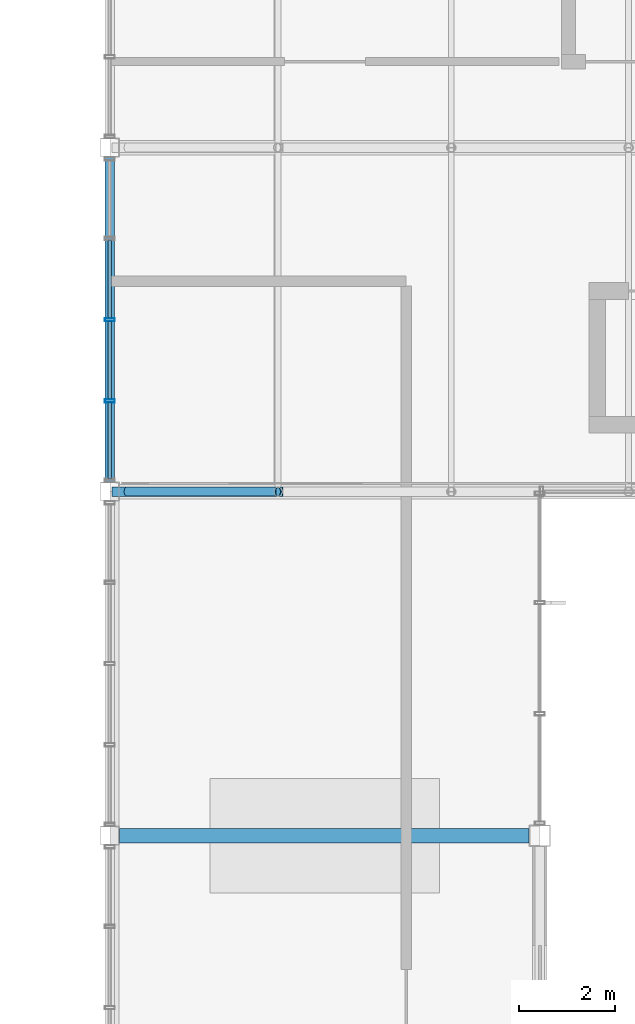
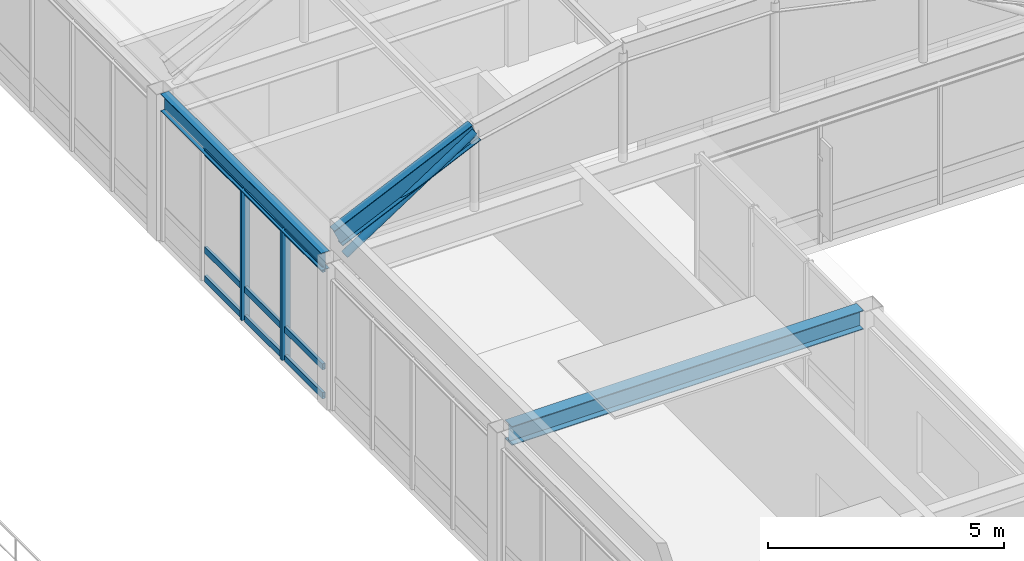
# One storey, part 19 of 106: 13 members, 2 beams, 1 element without a shape of its own.
"""IFC4 building model written with IfcOpenShell, lengths in metres."""

from ifc_helpers import new_model, si_unit, direction, frame, origin, origin_2d, place, context, subcontext, project, spatial, hollow_rectangle, hollow_circle, i_section, extrude, material, material_profile, profile_set, type_object, element, aggregate, save


model = new_model("IFC4")

# Units and contexts
model_context = context("Model", 3, precision=1e-05, world=origin(), true_north=direction((0.0, 1.0)))
body_context = subcontext(model_context, "Body", "Model", "MODEL_VIEW")
ifc_project = project(units=[si_unit("LENGTHUNIT", "METRE"), si_unit("AREAUNIT", "SQUARE_METRE"), si_unit("VOLUMEUNIT", "CUBIC_METRE"), si_unit("PLANEANGLEUNIT", "RADIAN"), si_unit("MASSUNIT", "GRAM", prefix="KILO")], contexts=[model_context])

# Site, building, storey
site_placement = place(None, origin())
site = spatial("IfcSite", under=ifc_project, at=site_placement, CompositionType="ELEMENT")
building_placement = place(site_placement, origin())
building = spatial("IfcBuilding", under=site, at=building_placement, Name="Kazanami Central Library", CompositionType="ELEMENT")
storey_placement = place(building_placement, frame((0.0, 0.0, 12.800048828125)))
storey = spatial("IfcBuildingStorey", under=building, at=storey_placement, Name="L04", CompositionType="ELEMENT", Elevation=12.800048828125)

# Beams
ifc_material_1 = material(Name="Steel SN490B (325 MPa)", Category="steel")
ifc_material_profile_1 = material_profile(ifc_material_1, i_section(OverallWidth=0.300048828125, OverallDepth=0.488037109375, WebThickness=0.010986328125, FlangeThickness=0.01806640625, at=origin_2d()), Name="H-488x300x11x18")
ifc_profile_set_1 = profile_set([ifc_material_profile_1], Name="Steel SN490B (325 MPa)")
beam_type_1 = type_object("IfcBeamType", Name="BM-G-X5", PredefinedType="BEAM", material=ifc_profile_set_1)
beam_1_placement = place(storey_placement, frame((45.197998046875, 57.60009765625, 3.535888671875), z_axis=(1.0, 0.0, 0.0), x_axis=(0.0, 1.0, 0.0)))
element("IfcBeam", 1, at=beam_1_placement, inside=storey, type_object=beam_type_1, Name="Girder G-X5 L04 J/6-7", PredefinedType="BEAM", context=body_context, shape_type="SweptSolid", body=[
    extrude(i_section(OverallWidth=0.300048828125, OverallDepth=0.488037109375, WebThickness=0.010986328125, FlangeThickness=0.01806640625, at=origin_2d()), origin(), (0.0, 0.0, 1.0), 8.5791015625),
])
ifc_material_profile_2 = material_profile(ifc_material_1, i_section(OverallWidth=0.199951171875, OverallDepth=0.449951171875, WebThickness=0.009033203125, FlangeThickness=0.013916015625, at=origin_2d()), Name="H-450x200x9x14")
ifc_profile_set_2 = profile_set([ifc_material_profile_2], Name="Steel SN490B (325 MPa)")
beam_type_2 = type_object("IfcBeamType", Name="BM-SP-2", PredefinedType="SPANDREL", material=ifc_profile_set_2)
beam_2_placement = place(storey_placement, frame((45.0, 64.998046875, 3.554931640625), z_axis=(0.0, 1.0, 0.0), x_axis=(-1.0, 0.0, 0.0)))
element("IfcBeam", 2, at=beam_2_placement, inside=storey, type_object=beam_type_2, Name="Girder SP-2 L04 6/K-L", PredefinedType="SPANDREL", context=body_context, shape_type="SweptSolid", body=[
    extrude(i_section(OverallWidth=0.199951171875, OverallDepth=0.449951171875, WebThickness=0.009033203125, FlangeThickness=0.013916015625, at=origin_2d()), origin(), (0.0, 0.0, 1.0), 6.803955078125),
])

# Member
ifc_material_profile_3 = material_profile(ifc_material_1, i_section(OverallWidth=0.199951171875, OverallDepth=0.5, WebThickness=0.010009765625, FlangeThickness=0.01611328125, at=origin_2d()), Name="H-500x200x10x16")
ifc_profile_set_3 = profile_set([ifc_material_profile_3], Name="Steel SN490B (325 MPa)")
member_type_1 = type_object("IfcMemberType", Name="MEM-AR-02", PredefinedType="CHORD", material=ifc_profile_set_3)
member_1_placement = place(storey_placement, frame((45.14990234375, 64.800048828125, 4.2548828125), z_axis=(0.908074880538, 0.0, 0.41880784536), x_axis=(0.0, 1.0, 0.0)))
element("IfcMember", 3, at=member_1_placement, inside=storey, type_object=member_type_1, Name="Barrel Vault Arch Rib AR-02 VAULT-WEST Grid K Seg 1", PredefinedType="CHORD", context=body_context, shape_type="SweptSolid", body=[
    extrude(i_section(OverallWidth=0.199951171875, OverallDepth=0.5, WebThickness=0.010009765625, FlangeThickness=0.01611328125, at=origin_2d()), origin(), (0.0, 0.0, 1.0), 3.7109375),
])

# Curtain wall, members
ifc_material_2 = material(Name="Acid-Etched Low-E Laminated Glass", Category="glass")
curtain_wall_type = type_object("IfcCurtainWallType", Name="CW-6800x3330-M180", PredefinedType="USERDEFINED", material=ifc_material_2)
curtain_wall_placement = place(storey_placement, origin())
curtain_wall = element("IfcCurtainWall", 4, at=curtain_wall_placement, inside=storey, type_object=curtain_wall_type, Name="Covered Link Bridge Curtain Wall CW-44 L04 W-6-09", ObjectType="UNITISED CURTAIN WALL", PredefinedType="USERDEFINED")
ifc_material_3 = material(Name="Anodised Aluminium A6063-T5", Category="aluminium")
ifc_material_profile_4 = material_profile(ifc_material_3, hollow_rectangle(XDim=0.070068359375, YDim=0.2099609375, WallThickness=0.0048828125, at=origin_2d()), Name="ALU-MULL-70x210x5")
ifc_profile_set_4 = profile_set([ifc_material_profile_4], Name="Anodised Aluminium A6063-T5")
member_type_2 = type_object("IfcMemberType", Name="MEM-CW-M1", PredefinedType="MULLION", material=ifc_profile_set_4)
member_2_placement = place(storey_placement, frame((45.0, 66.699951171875, 0.0), z_axis=(0.0, 0.0, 1.0), x_axis=(0.0, 1.0, 0.0)))
member_2 = element("IfcMember", 5, at=member_2_placement, type_object=member_type_2, Name="CW-44 mullion 2", PredefinedType="MULLION", context=body_context, shape_type="SweptSolid", body=[
    extrude(hollow_rectangle(XDim=0.070068359375, YDim=0.2099609375, WallThickness=0.0048828125, at=origin_2d()), origin(), (0.0, 0.0, 1.0), 3.329833984375),
])
member_3_placement = place(storey_placement, frame((45.0, 68.39990234375, 0.0), z_axis=(0.0, 0.0, 1.0), x_axis=(0.0, 1.0, 0.0)))
member_3 = element("IfcMember", 6, at=member_3_placement, type_object=member_type_2, Name="CW-44 mullion 3", PredefinedType="MULLION", context=body_context, shape_type="SweptSolid", body=[
    extrude(hollow_rectangle(XDim=0.070068359375, YDim=0.2099609375, WallThickness=0.0048828125, at=origin_2d()), origin(), (0.0, 0.0, 1.0), 3.329833984375),
])
ifc_material_profile_5 = material_profile(ifc_material_3, hollow_rectangle(XDim=0.070068359375, YDim=0.159912109375, WallThickness=0.00390625, at=origin_2d()), Name="ALU-TRAN-70x160x4")
ifc_profile_set_5 = profile_set([ifc_material_profile_5], Name="Anodised Aluminium A6063-T5")
member_type_3 = type_object("IfcMemberType", Name="MEM-CW-T1", PredefinedType="USERDEFINED", material=ifc_profile_set_5)
member_4_placement = place(storey_placement, frame((45.0, 65.070068359375, 0.034912109375), z_axis=(0.0, 1.0, 0.0), x_axis=(-1.0, 0.0, 0.0)))
member_4 = element("IfcMember", 7, at=member_4_placement, type_object=member_type_3, Name="CW-44 transom 1.1", ObjectType="TRANSOM", PredefinedType="USERDEFINED", context=body_context, shape_type="SweptSolid", body=[
    extrude(hollow_rectangle(XDim=0.070068359375, YDim=0.159912109375, WallThickness=0.00390625, at=origin_2d()), origin(), (0.0, 0.0, 1.0), 1.594970703125),
])
member_5_placement = place(storey_placement, frame((45.0, 65.070068359375, 0.780029296875), z_axis=(0.0, 1.0, 0.0), x_axis=(-1.0, 0.0, 0.0)))
member_5 = element("IfcMember", 8, at=member_5_placement, type_object=member_type_3, Name="CW-44 transom 1.2", ObjectType="TRANSOM", PredefinedType="USERDEFINED", context=body_context, shape_type="SweptSolid", body=[
    extrude(hollow_rectangle(XDim=0.070068359375, YDim=0.159912109375, WallThickness=0.00390625, at=origin_2d()), origin(), (0.0, 0.0, 1.0), 1.594970703125),
])
member_6_placement = place(storey_placement, frame((45.0, 65.070068359375, 3.294921875), z_axis=(0.0, 1.0, 0.0), x_axis=(-1.0, 0.0, 0.0)))
member_6 = element("IfcMember", 9, at=member_6_placement, type_object=member_type_3, Name="CW-44 transom 1.3", ObjectType="TRANSOM", PredefinedType="USERDEFINED", context=body_context, shape_type="SweptSolid", body=[
    extrude(hollow_rectangle(XDim=0.070068359375, YDim=0.159912109375, WallThickness=0.00390625, at=origin_2d()), origin(), (0.0, 0.0, 1.0), 1.594970703125),
])
member_7_placement = place(storey_placement, frame((45.0, 66.735107421875, 0.034912109375), z_axis=(0.0, 1.0, 0.0), x_axis=(-1.0, 0.0, 0.0)))
member_7 = element("IfcMember", 10, at=member_7_placement, type_object=member_type_3, Name="CW-44 transom 2.1", ObjectType="TRANSOM", PredefinedType="USERDEFINED", context=body_context, shape_type="SweptSolid", body=[
    extrude(hollow_rectangle(XDim=0.070068359375, YDim=0.159912109375, WallThickness=0.00390625, at=origin_2d()), origin(), (0.0, 0.0, 1.0), 1.6298828125),
])
member_8_placement = place(storey_placement, frame((45.0, 66.735107421875, 0.780029296875), z_axis=(0.0, 1.0, 0.0), x_axis=(-1.0, 0.0, 0.0)))
member_8 = element("IfcMember", 11, at=member_8_placement, type_object=member_type_3, Name="CW-44 transom 2.2", ObjectType="TRANSOM", PredefinedType="USERDEFINED", context=body_context, shape_type="SweptSolid", body=[
    extrude(hollow_rectangle(XDim=0.070068359375, YDim=0.159912109375, WallThickness=0.00390625, at=origin_2d()), origin(), (0.0, 0.0, 1.0), 1.6298828125),
])
member_9_placement = place(storey_placement, frame((45.0, 66.735107421875, 3.294921875), z_axis=(0.0, 1.0, 0.0), x_axis=(-1.0, 0.0, 0.0)))
member_9 = element("IfcMember", 12, at=member_9_placement, type_object=member_type_3, Name="CW-44 transom 2.3", ObjectType="TRANSOM", PredefinedType="USERDEFINED", context=body_context, shape_type="SweptSolid", body=[
    extrude(hollow_rectangle(XDim=0.070068359375, YDim=0.159912109375, WallThickness=0.00390625, at=origin_2d()), origin(), (0.0, 0.0, 1.0), 1.6298828125),
])
member_10_placement = place(storey_placement, frame((45.0, 68.43505859375, 0.034912109375), z_axis=(0.0, 1.0, 0.0), x_axis=(-1.0, 0.0, 0.0)))
member_10 = element("IfcMember", 13, at=member_10_placement, type_object=member_type_3, Name="CW-44 transom 3.1", ObjectType="TRANSOM", PredefinedType="USERDEFINED", context=body_context, shape_type="SweptSolid", body=[
    extrude(hollow_rectangle(XDim=0.070068359375, YDim=0.159912109375, WallThickness=0.00390625, at=origin_2d()), origin(), (0.0, 0.0, 1.0), 1.6298828125),
])
member_11_placement = place(storey_placement, frame((45.0, 68.43505859375, 0.780029296875), z_axis=(0.0, 1.0, 0.0), x_axis=(-1.0, 0.0, 0.0)))
member_11 = element("IfcMember", 14, at=member_11_placement, type_object=member_type_3, Name="CW-44 transom 3.2", ObjectType="TRANSOM", PredefinedType="USERDEFINED", context=body_context, shape_type="SweptSolid", body=[
    extrude(hollow_rectangle(XDim=0.070068359375, YDim=0.159912109375, WallThickness=0.00390625, at=origin_2d()), origin(), (0.0, 0.0, 1.0), 1.6298828125),
])
member_12_placement = place(storey_placement, frame((45.0, 68.43505859375, 3.294921875), z_axis=(0.0, 1.0, 0.0), x_axis=(-1.0, 0.0, 0.0)))
member_12 = element("IfcMember", 15, at=member_12_placement, type_object=member_type_3, Name="CW-44 transom 3.3", ObjectType="TRANSOM", PredefinedType="USERDEFINED", context=body_context, shape_type="SweptSolid", body=[
    extrude(hollow_rectangle(XDim=0.070068359375, YDim=0.159912109375, WallThickness=0.00390625, at=origin_2d()), origin(), (0.0, 0.0, 1.0), 1.6298828125),
])
aggregate(curtain_wall, [member_2, member_3, member_4, member_5, member_6, member_7, member_8, member_9, member_10, member_11, member_12])

# Member
ifc_material_4 = material(Name="Steel STK490 (315 MPa)", Category="steel")
ifc_material_profile_6 = material_profile(ifc_material_4, hollow_circle(Radius=0.095458984375, WallThickness=0.007080078125, at=origin_2d()), Name="CHS-190.7x7.0")
ifc_profile_set_6 = profile_set([ifc_material_profile_6], Name="Steel STK490 (315 MPa)")
member_type_4 = type_object("IfcMemberType", Name="MEM-VST-190", PredefinedType="STRUT", material=ifc_profile_set_6)
member_13_placement = place(storey_placement, frame((45.35009765625, 64.800048828125, 3.71484375), z_axis=(0.836759504137, 0.0, 0.547570572837), x_axis=(0.0, 1.0, 0.0)))
element("IfcMember", 16, at=member_13_placement, inside=storey, type_object=member_type_4, Name="Barrel Vault Tied-Arch Diagonal VAULT-WEST Grid K (L)", PredefinedType="BRACE", context=body_context, shape_type="SweptSolid", body=[
    extrude(hollow_circle(Radius=0.095458984375, WallThickness=0.007080078125, at=origin_2d()), origin(), (0.0, 0.0, 1.0), 3.7880859375),
])

save(model, "model.ifc")
